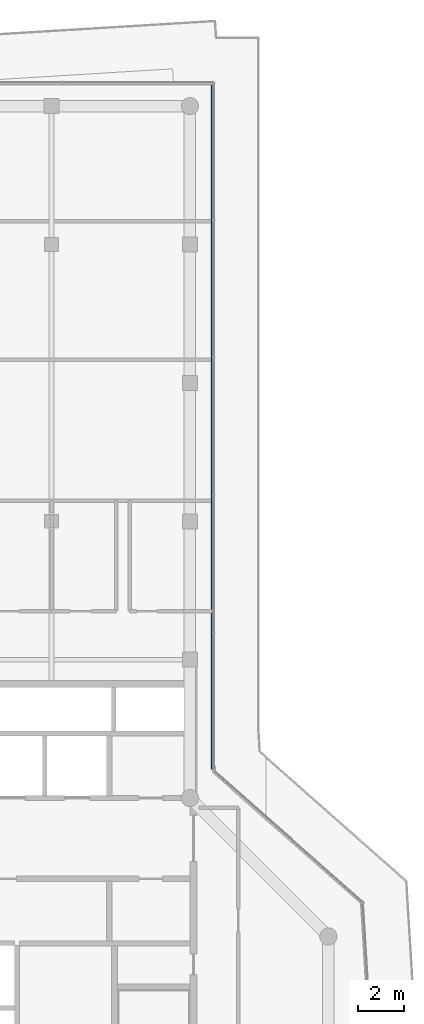
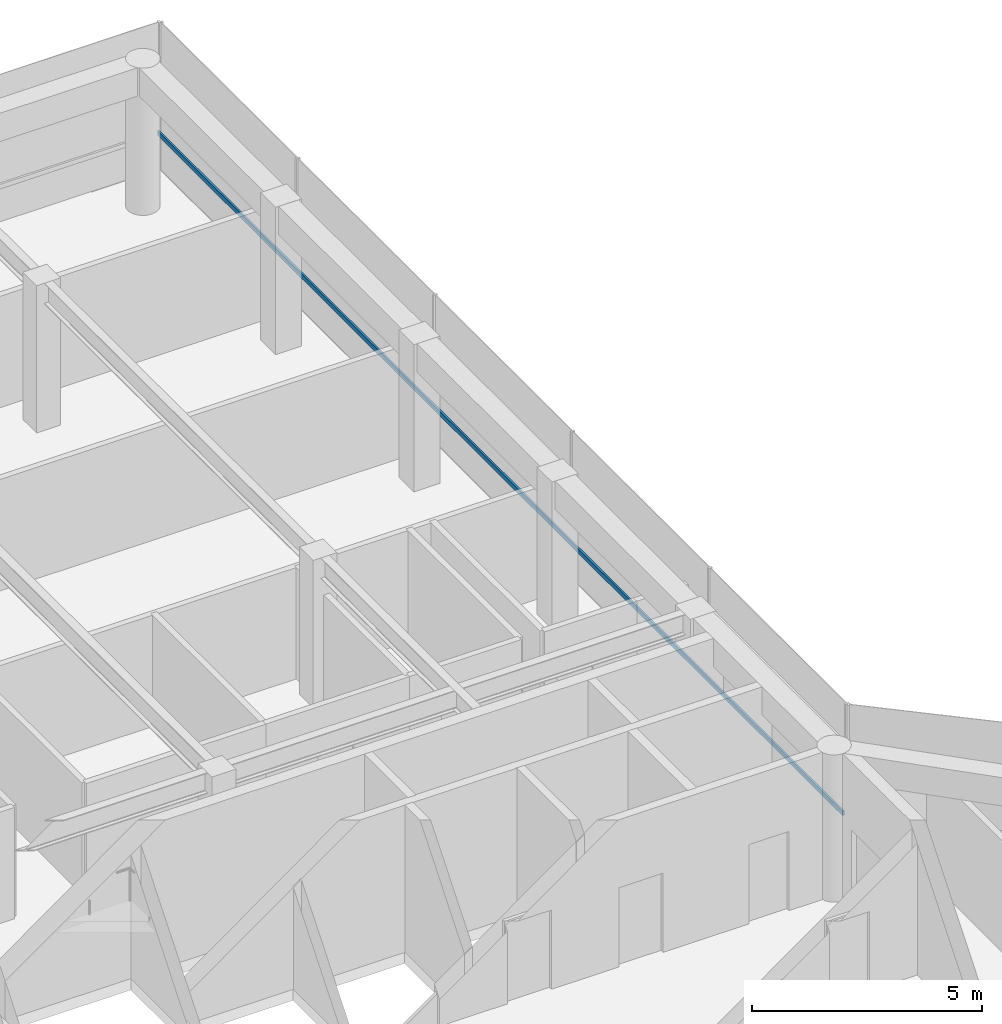
# One storey, part 11 of 22: 1 member, 1 element without a shape of its own.
"""IFC4 building model written with IfcOpenShell, lengths in metres."""

import ifcopenshell
import ifcopenshell.guid

model = None  # the IFC model being written
_history = None  # IfcOwnerHistory: only IFC2X3 demands one
_inside = {}  # id of a spatial element -> (the spatial element, [elements in it])
_under = {}  # id of a project, library or spatial element -> (it, [spatial elements below it])
_declared = {}  # id of a project -> (the project, [libraries it declares])
_typed = {}  # id of a type object -> (the type object, [elements of that type])
_made_of = {}  # id of a material, layer set ... -> (it, [elements and type objects made of it])


def new_model(schema):
    """Start an empty IFC model of exactly this schema.

    Asked for "IFC4X3", IfcOpenShell would pick the latest addendum, in which some entities
    have other attributes; the version numbers below select the first issue.
    IFC2X3 requires an IfcOwnerHistory on every rooted entity: one is made here for all.
    """
    global model, _history
    if schema == "IFC4X3":
        model = ifcopenshell.file(schema_version=(4, 3, 0, 0))
    else:
        model = ifcopenshell.file(schema=schema)
    _inside.clear()
    _under.clear()
    _declared.clear()
    _typed.clear()
    _made_of.clear()
    _history = None
    if model.schema == "IFC2X3":
        org = make("IfcOrganization", Name="unknown")
        user = make(
            "IfcPersonAndOrganization",
            ThePerson=make("IfcPerson", FamilyName="unknown"),
            TheOrganization=org,
        )
        app = make(
            "IfcApplication",
            ApplicationDeveloper=org,
            Version="unknown",
            ApplicationFullName="unknown",
            ApplicationIdentifier="unknown",
        )
        _history = make(
            "IfcOwnerHistory",
            OwningUser=user,
            OwningApplication=app,
            ChangeAction="ADDED",
            CreationDate=0,
        )
    return model


def make(cls, **values):
    """One entity of the class cls with the attributes given. An attribute that is None is left unset."""
    return model.create_entity(
        cls, **{name: value for name, value in values.items() if value is not None}
    )


def rooted(cls, **values):
    """An entity with a GlobalId (a new one), such as an element, a storey or a relation."""
    return make(cls, GlobalId=ifcopenshell.guid.new(), OwnerHistory=_history, **values)


def si_unit(unit_type, name, prefix=None):
    """IfcSIUnit, for example si_unit("LENGTHUNIT", "METRE", prefix="MILLI")."""
    return make("IfcSIUnit", UnitType=unit_type, Prefix=prefix, Name=name)


def assignment(units):
    """IfcUnitAssignment: the units of a project."""
    return None if units is None else make("IfcUnitAssignment", Units=units)


def point(xyz):
    """IfcCartesianPoint."""
    return None if xyz is None else make("IfcCartesianPoint", Coordinates=xyz)


def direction(xyz):
    """IfcDirection."""
    return None if xyz is None else make("IfcDirection", DirectionRatios=xyz)


def frame(location, z_axis=None, x_axis=None):
    """IfcAxis2Placement3D, a coordinate frame: its origin and axes. An axis left out is left unset."""
    return make(
        "IfcAxis2Placement3D",
        Location=point(location),
        Axis=direction(z_axis),
        RefDirection=direction(x_axis),
    )


def frame_2d(location, x_axis=None):
    """IfcAxis2Placement2D, a coordinate frame in the plane: its origin and x axis."""
    return make(
        "IfcAxis2Placement2D", Location=point(location), RefDirection=direction(x_axis)
    )


def origin():
    """The frame at (0, 0, 0) with its axes left unset."""
    return frame((0.0, 0.0, 0.0))


def origin_2d():
    """The frame at (0, 0) in the plane with its x axis left unset."""
    return frame_2d((0.0, 0.0))


def place(relative_to, where):
    """IfcLocalPlacement: puts the frame where relative to a parent placement (None: the world)."""
    return make(
        "IfcLocalPlacement", PlacementRelTo=relative_to, RelativePlacement=where
    )


def context(
    kind, dimensions, precision=None, world=None, true_north=None, identifier=None
):
    """IfcGeometricRepresentationContext, for example the 3D "Model" context."""
    return make(
        "IfcGeometricRepresentationContext",
        ContextIdentifier=identifier,
        ContextType=kind,
        CoordinateSpaceDimension=dimensions,
        Precision=precision,
        WorldCoordinateSystem=world,
        TrueNorth=true_north,
    )


def subcontext(parent, identifier, kind, view, scale=None):
    """IfcGeometricRepresentationSubContext, for example "Body" below "Model"."""
    return make(
        "IfcGeometricRepresentationSubContext",
        ContextIdentifier=identifier,
        ContextType=kind,
        ParentContext=parent,
        TargetScale=scale,
        TargetView=view,
    )


def project(units=None, contexts=None):
    """IfcProject with its units and contexts."""
    return rooted(
        "IfcProject",
        Name="project",
        RepresentationContexts=contexts,
        UnitsInContext=assignment(units),
    )


def spatial(cls, under=None, at=None, **own):
    """A site, building, storey or space (cls), placed at a placement, below another one or the project."""
    s = rooted(cls, ObjectPlacement=at, **own)
    if under is not None:
        _under.setdefault(under.id(), (under, []))[1].append(s)
    return s


def profile(cls, at=None, kind="AREA", **sizes):
    """A parametric profile (cls). Its sizes go by their IFC names, for example OverallWidth=200.0."""
    return make(cls, ProfileType=kind, Position=at, **sizes)


def rectangle(**sizes):
    """IfcRectangleProfileDef."""
    return profile("IfcRectangleProfileDef", **sizes)


def extrude(swept, where, along, depth):
    """IfcExtrudedAreaSolid: the profile swept, set in the frame where, extruded along a direction by depth."""
    return make(
        "IfcExtrudedAreaSolid",
        SweptArea=swept,
        Position=where,
        ExtrudedDirection=direction(along),
        Depth=depth,
    )


def shape(context_of_items, identifier, shape_type, items):
    """IfcShapeRepresentation: the items that make up one representation, for example the "Body"."""
    return make(
        "IfcShapeRepresentation",
        ContextOfItems=context_of_items,
        RepresentationIdentifier=identifier,
        RepresentationType=shape_type,
        Items=items,
    )


def material(Name=None, Category=None):
    """IfcMaterial."""
    return make("IfcMaterial", Name=Name, Category=Category)


def layer(
    of_material, thickness, ventilated=None, Name=None, Category=None, Priority=None
):
    """IfcMaterialLayer: one layer of a wall or slab, of a material (None: an air gap)."""
    return make(
        "IfcMaterialLayer",
        Material=of_material,
        LayerThickness=thickness,
        IsVentilated=ventilated,
        Name=Name,
        Category=Category,
        Priority=Priority,
    )


def layer_set(layers, Name=None):
    """IfcMaterialLayerSet."""
    return make("IfcMaterialLayerSet", MaterialLayers=layers, LayerSetName=Name)


def material_profile(
    of_material, cross_section, Name=None, Category=None, Priority=None
):
    """IfcMaterialProfile: a cross section and its material."""
    return make(
        "IfcMaterialProfile",
        Name=Name,
        Material=of_material,
        Profile=cross_section,
        Priority=Priority,
        Category=Category,
    )


def profile_set(profiles, Name=None, composite=None):
    """IfcMaterialProfileSet."""
    return make(
        "IfcMaterialProfileSet",
        Name=Name,
        MaterialProfiles=profiles,
        CompositeProfile=composite,
    )


def made_of(thing, what):
    """Note that an element or type object is made of a material, layer set ...; save() writes the relation."""
    if what is not None:
        _made_of.setdefault(what.id(), (what, []))[1].append(thing)
    return thing


def type_object(cls, material=None, **own):
    """A type object (cls), such as IfcWallType, which elements share."""
    return made_of(rooted(cls, **own), material)


def element(
    cls,
    number,
    at=None,
    inside=None,
    cuts=None,
    type_object=None,
    material=None,
    context=None,
    identifier="Body",
    shape_type=None,
    held_by="IfcProductDefinitionShape",
    body=None,
    shapes=None,
    **own,
):
    """One element of the class cls, such as IfcWall. Its Tag is "e" and its number.

    at: its placement. inside: the storey or other place that contains it. cuts: it is an
    opening in that element (IfcRelVoidsElement). A single representation is given by context,
    identifier, shape_type and body (its items); several are given by shapes. held_by: the class
    of the entity that holds the representations. save() writes the other relations.
    """
    e = rooted(cls, Tag="e%d" % number, ObjectPlacement=at, **own)
    if body is not None:
        shapes = [shape(context, identifier, shape_type, body)]
    if shapes is not None:
        e.Representation = make(held_by, Representations=shapes)
    if inside is not None:
        _inside.setdefault(inside.id(), (inside, []))[1].append(e)
    if cuts is not None:
        rooted(
            "IfcRelVoidsElement", RelatingBuildingElement=cuts, RelatedOpeningElement=e
        )
    if type_object is not None:
        _typed.setdefault(type_object.id(), (type_object, []))[1].append(e)
    return made_of(e, material)


def aggregate(whole, parts):
    """IfcRelAggregates: a whole, such as a stair, and the parts it consists of."""
    return rooted("IfcRelAggregates", RelatingObject=whole, RelatedObjects=parts)


def save(model, path):
    """Write the relations noted so far, then the file.

    IfcRelAggregates (storeys below a building ...), IfcRelContainedInSpatialStructure (elements
    in a storey), IfcRelDefinesByType, IfcRelAssociatesMaterial and IfcRelDeclares: one each for
    every whole, place, type object, material and project.
    """
    for whole, parts in _under.values():
        aggregate(whole, parts)
    for where, things in _inside.values():
        rooted(
            "IfcRelContainedInSpatialStructure",
            RelatedElements=things,
            RelatingStructure=where,
        )
    for kind, things in _typed.values():
        rooted("IfcRelDefinesByType", RelatedObjects=things, RelatingType=kind)
    for what, things in _made_of.values():
        rooted("IfcRelAssociatesMaterial", RelatedObjects=things, RelatingMaterial=what)
    for by, libraries in _declared.values():
        rooted("IfcRelDeclares", RelatingContext=by, RelatedDefinitions=libraries)
    model.write(path)


model = new_model("IFC4")

# Units and contexts
model_context = context("Model", 3, precision=1e-05, world=origin(), true_north=direction((0.0, 1.0)))
body_context = subcontext(model_context, "Body", "Model", "MODEL_VIEW")
ifc_project = project(units=[si_unit("LENGTHUNIT", "METRE"), si_unit("AREAUNIT", "SQUARE_METRE"), si_unit("VOLUMEUNIT", "CUBIC_METRE"), si_unit("PLANEANGLEUNIT", "RADIAN"), si_unit("MASSUNIT", "GRAM", prefix="KILO")], contexts=[model_context])

# Site, building, storey
site_placement = place(None, origin())
site = spatial("IfcSite", under=ifc_project, at=site_placement, CompositionType="ELEMENT")
building_placement = place(site_placement, origin())
building = spatial("IfcBuilding", under=site, at=building_placement, Name="Welwitschia Terrace Campus", CompositionType="ELEMENT")
storey_placement = place(building_placement, frame((0.0, 0.0, 318.800048828125)))
storey = spatial("IfcBuildingStorey", under=building, at=storey_placement, Name="L71", CompositionType="ELEMENT", Elevation=318.800048828125)

# Curtain wall, member
ifc_material_1 = material(Name="Bronze anodised aluminium", Category="aluminium")
ifc_layer = layer(ifc_material_1, 0.10009765625)
ifc_layer_set = layer_set([ifc_layer], Name="Bronze anodised aluminium")
curtain_wall_type = type_object("IfcCurtainWallType", Name="Curtain wall CW5 crown 6000", PredefinedType="NOTDEFINED", material=ifc_layer_set)
curtain_wall_placement = place(storey_placement, origin())
curtain_wall = element("IfcCurtainWall", 1, at=curtain_wall_placement, inside=storey, type_object=curtain_wall_type, Name="CW L71.5.0", PredefinedType="NOTDEFINED")
ifc_material_2 = material(Name="Bronze anodised aluminium", Category="aluminium")
ifc_material_profile = material_profile(ifc_material_2, rectangle(XDim=0.050048828125, YDim=0.1201171875, at=origin_2d()))
ifc_profile_set = profile_set([ifc_material_profile], Name="Bronze anodised aluminium")
member_type = type_object("IfcMemberType", Name="Transom 50x120", PredefinedType="USERDEFINED", material=ifc_profile_set)
member_placement = place(storey_placement, frame((24.955078125, 21.2509765625, 1.0), z_axis=(0.0, 1.0, 0.0), x_axis=(-1.0, 0.0, 0.0)))
member = element("IfcMember", 2, at=member_placement, type_object=member_type, Name="Transom L71.5.0", ObjectType="TRANSOM", PredefinedType="USERDEFINED", context=body_context, shape_type="SweptSolid", body=[
    extrude(rectangle(XDim=0.050048828125, YDim=0.1201171875, at=origin_2d()), origin(), (0.0, 0.0, 1.0), 29.72900390625),
])
aggregate(curtain_wall, [member])

save(model, "model.ifc")
